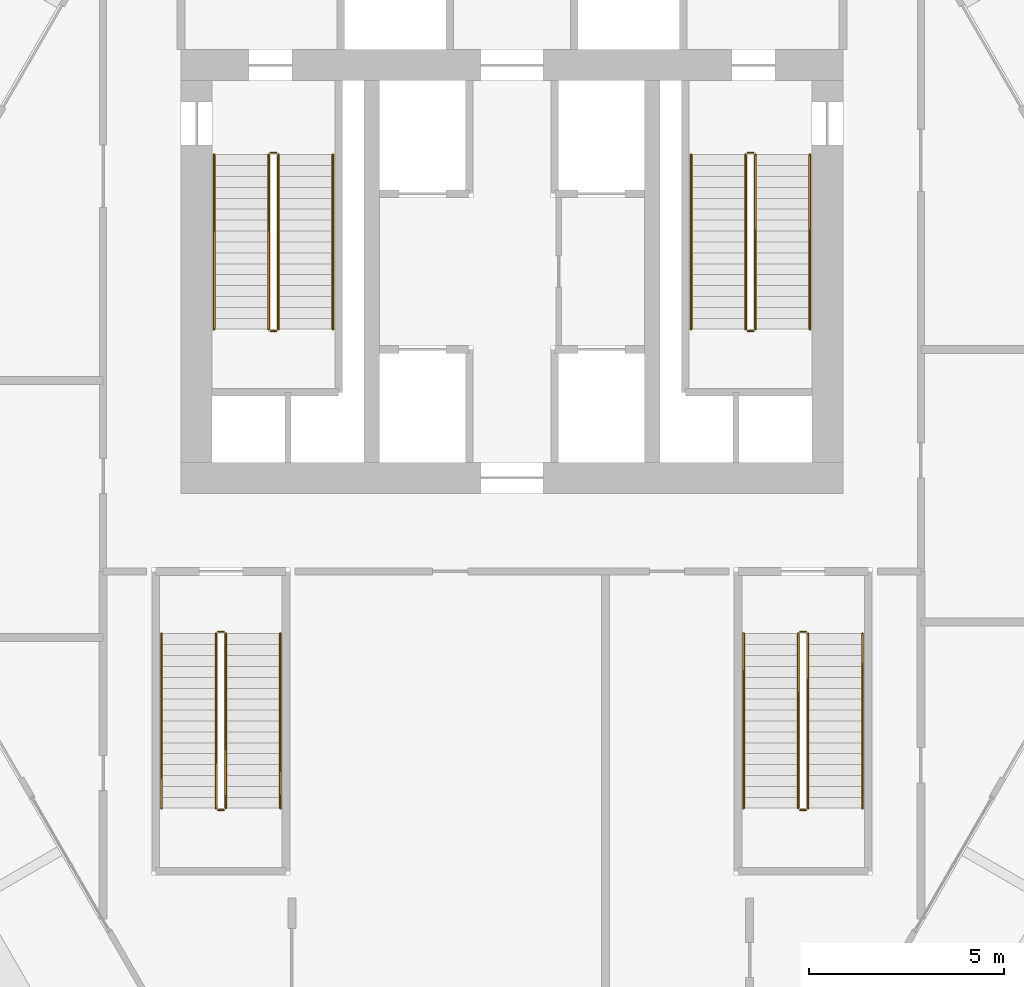
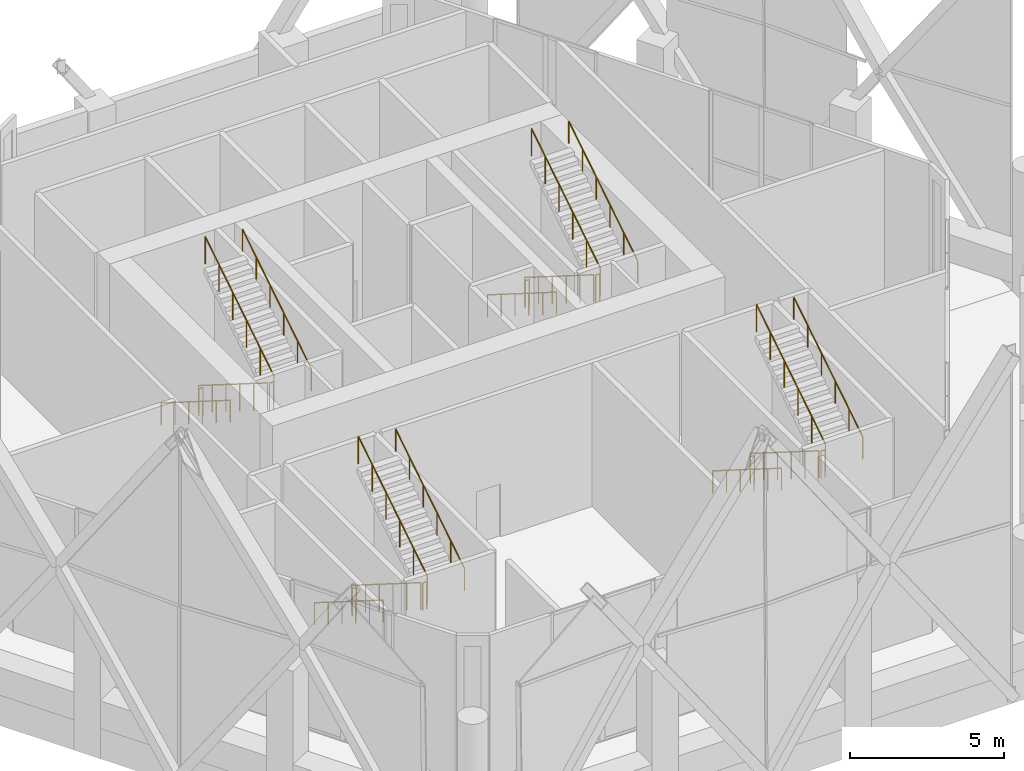
# One storey, part 43 of 43: 24 railings.
"""IFC4 building model written with IfcOpenShell, lengths in metres."""

from ifc_helpers import new_model, si_unit, direction, frame, origin, origin_2d, place, context, subcontext, project, spatial, circle, extrude, material, type_object, element, save


model = new_model("IFC4")

# Units and contexts
model_context = context("Model", 3, precision=1e-05, world=origin(), true_north=direction((0.0, 1.0)))
body_context = subcontext(model_context, "Body", "Model", "MODEL_VIEW")
ifc_project = project(units=[si_unit("LENGTHUNIT", "METRE"), si_unit("AREAUNIT", "SQUARE_METRE"), si_unit("VOLUMEUNIT", "CUBIC_METRE"), si_unit("PLANEANGLEUNIT", "RADIAN"), si_unit("MASSUNIT", "GRAM", prefix="KILO")], contexts=[model_context])

# Site, building, storey
site_placement = place(None, origin())
site = spatial("IfcSite", under=ifc_project, at=site_placement, CompositionType="ELEMENT")
building_placement = place(site_placement, origin())
building = spatial("IfcBuilding", under=site, at=building_placement, Name="Ostrander Bayou Hotel Tower", CompositionType="ELEMENT")
storey_placement = place(building_placement, frame((0.0, 0.0, 151.0)))
storey = spatial("IfcBuildingStorey", under=building, at=storey_placement, Name="L37", CompositionType="ELEMENT", Elevation=151.0)

# Railings
ifc_material_1 = material(Name="Steel ASTM A500 Gr C", Category="steel")
railing_type_1 = type_object("IfcRailingType", Name="GR1 stair guard 1100 mm steel", PredefinedType="GUARDRAIL", material=ifc_material_1)
railing_1_placement = place(storey_placement, frame((-6.25, 7.0, 0.176513671875)))
element("IfcRailing", 1, at=railing_1_placement, inside=storey, type_object=railing_type_1, Name="L37 STA stair guard 1", PredefinedType="GUARDRAIL", context=body_context, shape_type="SweptSolid", body=[
    extrude(circle(Radius=0.02392578125, at=origin_2d()), frame((0.0, 0.0, 1.076171875), z_axis=(0.0, -0.845997938375, 0.533186166611), x_axis=(1.0, 0.0, 0.0)), (0.0, 0.0, 1.0), 5.29541015625),
    extrude(circle(Radius=0.02099609375, at=origin_2d()), origin(), (0.0, 0.0, 1.0), 1.052001953125),
    extrude(circle(Radius=0.02099609375, at=origin_2d()), frame((0.0, -0.89599609375, 0.564697265625)), (0.0, 0.0, 1.0), 1.052001953125),
    extrude(circle(Radius=0.02099609375, at=origin_2d()), frame((0.0, -1.7919921875, 1.12939453125)), (0.0, 0.0, 1.0), 1.052001953125),
    extrude(circle(Radius=0.02099609375, at=origin_2d()), frame((0.0, -2.68798828125, 1.694091796875)), (0.0, 0.0, 1.0), 1.052001953125),
    extrude(circle(Radius=0.02099609375, at=origin_2d()), frame((0.0, -3.583984375, 2.2587890625)), (0.0, 0.0, 1.0), 1.052001953125),
    extrude(circle(Radius=0.02099609375, at=origin_2d()), frame((0.0, -4.47998046875, 2.823486328125)), (0.0, 0.0, 1.0), 1.052001953125),
])
railing_2_placement = place(storey_placement, frame((-6.199951171875, 2.469970703125, 3.0)))
element("IfcRailing", 2, at=railing_2_placement, inside=storey, type_object=railing_type_1, Name="L37 STA stair guard 2", PredefinedType="GUARDRAIL", context=body_context, shape_type="SweptSolid", body=[
    extrude(circle(Radius=0.02392578125, at=origin_2d()), frame((0.0, 0.0, 1.076171875), z_axis=(1.0, 0.0, 0.0), x_axis=(0.0, 1.0, 0.0)), (0.0, 0.0, 1.0), 0.14990234375),
    extrude(circle(Radius=0.02099609375, at=origin_2d()), origin(), (0.0, 0.0, 1.0), 1.052001953125),
    extrude(circle(Radius=0.02099609375, at=origin_2d()), frame((0.14990234375, 0.0, 0.0)), (0.0, 0.0, 1.0), 1.052001953125),
])
railing_3_placement = place(storey_placement, frame((-6.0, 2.52001953125, 3.176513671875)))
element("IfcRailing", 3, at=railing_3_placement, inside=storey, type_object=railing_type_1, Name="L37 STA stair guard 3", PredefinedType="GUARDRAIL", context=body_context, shape_type="SweptSolid", body=[
    extrude(circle(Radius=0.02392578125, at=origin_2d()), frame((0.0, 0.0, 1.076171875), z_axis=(0.0, 0.845997938375, 0.533186166611), x_axis=(-1.0, 0.0, 0.0)), (0.0, 0.0, 1.0), 5.29541015625),
    extrude(circle(Radius=0.02099609375, at=origin_2d()), origin(), (0.0, 0.0, 1.0), 1.052001953125),
    extrude(circle(Radius=0.02099609375, at=origin_2d()), frame((0.0, 0.89599609375, 0.564697265625)), (0.0, 0.0, 1.0), 1.052001953125),
    extrude(circle(Radius=0.02099609375, at=origin_2d()), frame((0.0, 1.7919921875, 1.12939453125)), (0.0, 0.0, 1.0), 1.052001953125),
    extrude(circle(Radius=0.02099609375, at=origin_2d()), frame((0.0, 2.68798828125, 1.694091796875)), (0.0, 0.0, 1.0), 1.052001953125),
    extrude(circle(Radius=0.02099609375, at=origin_2d()), frame((0.0, 3.583984375, 2.2587890625)), (0.0, 0.0, 1.0), 1.052001953125),
    extrude(circle(Radius=0.02099609375, at=origin_2d()), frame((0.0, 4.47998046875, 2.823486328125)), (0.0, 0.0, 1.0), 1.052001953125),
])
railing_4_placement = place(storey_placement, frame((-6.199951171875, 7.050048828125, 0.0)))
element("IfcRailing", 4, at=railing_4_placement, inside=storey, type_object=railing_type_1, Name="L37 STA stair guard 4", PredefinedType="GUARDRAIL", context=body_context, shape_type="SweptSolid", body=[
    extrude(circle(Radius=0.02392578125, at=origin_2d()), frame((0.0, 0.0, 1.076171875), z_axis=(1.0, 0.0, 0.0), x_axis=(0.0, 1.0, 0.0)), (0.0, 0.0, 1.0), 0.14990234375),
    extrude(circle(Radius=0.02099609375, at=origin_2d()), origin(), (0.0, 0.0, 1.0), 1.052001953125),
    extrude(circle(Radius=0.02099609375, at=origin_2d()), frame((0.14990234375, 0.0, 0.0)), (0.0, 0.0, 1.0), 1.052001953125),
])
railing_5_placement = place(storey_placement, frame((6.0, 7.0, 0.176513671875)))
element("IfcRailing", 5, at=railing_5_placement, inside=storey, type_object=railing_type_1, Name="L37 STB stair guard 1", PredefinedType="GUARDRAIL", context=body_context, shape_type="SweptSolid", body=[
    extrude(circle(Radius=0.02392578125, at=origin_2d()), frame((0.0, 0.0, 1.076171875), z_axis=(0.0, -0.845997938375, 0.533186166611), x_axis=(1.0, 0.0, 0.0)), (0.0, 0.0, 1.0), 5.29541015625),
    extrude(circle(Radius=0.02099609375, at=origin_2d()), origin(), (0.0, 0.0, 1.0), 1.052001953125),
    extrude(circle(Radius=0.02099609375, at=origin_2d()), frame((0.0, -0.89599609375, 0.564697265625)), (0.0, 0.0, 1.0), 1.052001953125),
    extrude(circle(Radius=0.02099609375, at=origin_2d()), frame((0.0, -1.7919921875, 1.12939453125)), (0.0, 0.0, 1.0), 1.052001953125),
    extrude(circle(Radius=0.02099609375, at=origin_2d()), frame((0.0, -2.68798828125, 1.694091796875)), (0.0, 0.0, 1.0), 1.052001953125),
    extrude(circle(Radius=0.02099609375, at=origin_2d()), frame((0.0, -3.583984375, 2.2587890625)), (0.0, 0.0, 1.0), 1.052001953125),
    extrude(circle(Radius=0.02099609375, at=origin_2d()), frame((0.0, -4.47998046875, 2.823486328125)), (0.0, 0.0, 1.0), 1.052001953125),
])
railing_6_placement = place(storey_placement, frame((6.050048828125, 2.469970703125, 3.0)))
element("IfcRailing", 6, at=railing_6_placement, inside=storey, type_object=railing_type_1, Name="L37 STB stair guard 2", PredefinedType="GUARDRAIL", context=body_context, shape_type="SweptSolid", body=[
    extrude(circle(Radius=0.02392578125, at=origin_2d()), frame((0.0, 0.0, 1.076171875), z_axis=(1.0, 0.0, 0.0), x_axis=(0.0, 1.0, 0.0)), (0.0, 0.0, 1.0), 0.14990234375),
    extrude(circle(Radius=0.02099609375, at=origin_2d()), origin(), (0.0, 0.0, 1.0), 1.052001953125),
    extrude(circle(Radius=0.02099609375, at=origin_2d()), frame((0.14990234375, 0.0, 0.0)), (0.0, 0.0, 1.0), 1.052001953125),
])
railing_7_placement = place(storey_placement, frame((6.25, 2.52001953125, 3.176513671875)))
element("IfcRailing", 7, at=railing_7_placement, inside=storey, type_object=railing_type_1, Name="L37 STB stair guard 3", PredefinedType="GUARDRAIL", context=body_context, shape_type="SweptSolid", body=[
    extrude(circle(Radius=0.02392578125, at=origin_2d()), frame((0.0, 0.0, 1.076171875), z_axis=(0.0, 0.845997938375, 0.533186166611), x_axis=(-1.0, 0.0, 0.0)), (0.0, 0.0, 1.0), 5.29541015625),
    extrude(circle(Radius=0.02099609375, at=origin_2d()), origin(), (0.0, 0.0, 1.0), 1.052001953125),
    extrude(circle(Radius=0.02099609375, at=origin_2d()), frame((0.0, 0.89599609375, 0.564697265625)), (0.0, 0.0, 1.0), 1.052001953125),
    extrude(circle(Radius=0.02099609375, at=origin_2d()), frame((0.0, 1.7919921875, 1.12939453125)), (0.0, 0.0, 1.0), 1.052001953125),
    extrude(circle(Radius=0.02099609375, at=origin_2d()), frame((0.0, 2.68798828125, 1.694091796875)), (0.0, 0.0, 1.0), 1.052001953125),
    extrude(circle(Radius=0.02099609375, at=origin_2d()), frame((0.0, 3.583984375, 2.2587890625)), (0.0, 0.0, 1.0), 1.052001953125),
    extrude(circle(Radius=0.02099609375, at=origin_2d()), frame((0.0, 4.47998046875, 2.823486328125)), (0.0, 0.0, 1.0), 1.052001953125),
])
railing_8_placement = place(storey_placement, frame((6.050048828125, 7.050048828125, 0.0)))
element("IfcRailing", 8, at=railing_8_placement, inside=storey, type_object=railing_type_1, Name="L37 STB stair guard 4", PredefinedType="GUARDRAIL", context=body_context, shape_type="SweptSolid", body=[
    extrude(circle(Radius=0.02392578125, at=origin_2d()), frame((0.0, 0.0, 1.076171875), z_axis=(1.0, 0.0, 0.0), x_axis=(0.0, 1.0, 0.0)), (0.0, 0.0, 1.0), 0.14990234375),
    extrude(circle(Radius=0.02099609375, at=origin_2d()), origin(), (0.0, 0.0, 1.0), 1.052001953125),
    extrude(circle(Radius=0.02099609375, at=origin_2d()), frame((0.14990234375, 0.0, 0.0)), (0.0, 0.0, 1.0), 1.052001953125),
])
railing_9_placement = place(storey_placement, frame((7.35009765625, -5.300048828125, 0.176513671875)))
element("IfcRailing", 9, at=railing_9_placement, inside=storey, type_object=railing_type_1, Name="L37 STC stair guard 1", PredefinedType="GUARDRAIL", context=body_context, shape_type="SweptSolid", body=[
    extrude(circle(Radius=0.02392578125, at=origin_2d()), frame((0.0, 0.0, 1.076171875), z_axis=(0.0, -0.845997938375, 0.533186166611), x_axis=(1.0, 0.0, 0.0)), (0.0, 0.0, 1.0), 5.29541015625),
    extrude(circle(Radius=0.02099609375, at=origin_2d()), origin(), (0.0, 0.0, 1.0), 1.052001953125),
    extrude(circle(Radius=0.02099609375, at=origin_2d()), frame((0.0, -0.89599609375, 0.564697265625)), (0.0, 0.0, 1.0), 1.052001953125),
    extrude(circle(Radius=0.02099609375, at=origin_2d()), frame((0.0, -1.7919921875, 1.12939453125)), (0.0, 0.0, 1.0), 1.052001953125),
    extrude(circle(Radius=0.02099609375, at=origin_2d()), frame((0.0, -2.68798828125, 1.694091796875)), (0.0, 0.0, 1.0), 1.052001953125),
    extrude(circle(Radius=0.02099609375, at=origin_2d()), frame((0.0, -3.583984375, 2.2587890625)), (0.0, 0.0, 1.0), 1.052001953125),
    extrude(circle(Radius=0.02099609375, at=origin_2d()), frame((0.0, -4.47998046875, 2.823486328125)), (0.0, 0.0, 1.0), 1.052001953125),
])
railing_10_placement = place(storey_placement, frame((7.39990234375, -9.830078125, 3.0)))
element("IfcRailing", 10, at=railing_10_placement, inside=storey, type_object=railing_type_1, Name="L37 STC stair guard 2", PredefinedType="GUARDRAIL", context=body_context, shape_type="SweptSolid", body=[
    extrude(circle(Radius=0.02392578125, at=origin_2d()), frame((0.0, 0.0, 1.076171875), z_axis=(1.0, 0.0, 0.0), x_axis=(0.0, 1.0, 0.0)), (0.0, 0.0, 1.0), 0.150146484375),
    extrude(circle(Radius=0.02099609375, at=origin_2d()), origin(), (0.0, 0.0, 1.0), 1.052001953125),
    extrude(circle(Radius=0.02099609375, at=origin_2d()), frame((0.150146484375, 0.0, 0.0)), (0.0, 0.0, 1.0), 1.052001953125),
])
railing_11_placement = place(storey_placement, frame((7.60009765625, -9.780029296875, 3.176513671875)))
element("IfcRailing", 11, at=railing_11_placement, inside=storey, type_object=railing_type_1, Name="L37 STC stair guard 3", PredefinedType="GUARDRAIL", context=body_context, shape_type="SweptSolid", body=[
    extrude(circle(Radius=0.02392578125, at=origin_2d()), frame((0.0, 0.0, 1.076171875), z_axis=(0.0, 0.845997938375, 0.533186166611), x_axis=(-1.0, 0.0, 0.0)), (0.0, 0.0, 1.0), 5.29541015625),
    extrude(circle(Radius=0.02099609375, at=origin_2d()), origin(), (0.0, 0.0, 1.0), 1.052001953125),
    extrude(circle(Radius=0.02099609375, at=origin_2d()), frame((0.0, 0.89599609375, 0.564697265625)), (0.0, 0.0, 1.0), 1.052001953125),
    extrude(circle(Radius=0.02099609375, at=origin_2d()), frame((0.0, 1.7919921875, 1.12939453125)), (0.0, 0.0, 1.0), 1.052001953125),
    extrude(circle(Radius=0.02099609375, at=origin_2d()), frame((0.0, 2.68798828125, 1.694091796875)), (0.0, 0.0, 1.0), 1.052001953125),
    extrude(circle(Radius=0.02099609375, at=origin_2d()), frame((0.0, 3.583984375, 2.2587890625)), (0.0, 0.0, 1.0), 1.052001953125),
    extrude(circle(Radius=0.02099609375, at=origin_2d()), frame((0.0, 4.47998046875, 2.823486328125)), (0.0, 0.0, 1.0), 1.052001953125),
])
railing_12_placement = place(storey_placement, frame((7.39990234375, -5.25, 0.0)))
element("IfcRailing", 12, at=railing_12_placement, inside=storey, type_object=railing_type_1, Name="L37 STC stair guard 4", PredefinedType="GUARDRAIL", context=body_context, shape_type="SweptSolid", body=[
    extrude(circle(Radius=0.02392578125, at=origin_2d()), frame((0.0, 0.0, 1.076171875), z_axis=(1.0, 0.0, 0.0), x_axis=(0.0, 1.0, 0.0)), (0.0, 0.0, 1.0), 0.150146484375),
    extrude(circle(Radius=0.02099609375, at=origin_2d()), origin(), (0.0, 0.0, 1.0), 1.052001953125),
    extrude(circle(Radius=0.02099609375, at=origin_2d()), frame((0.150146484375, 0.0, 0.0)), (0.0, 0.0, 1.0), 1.052001953125),
])
railing_13_placement = place(storey_placement, frame((-7.60009765625, -5.300048828125, 0.176513671875)))
element("IfcRailing", 13, at=railing_13_placement, inside=storey, type_object=railing_type_1, Name="L37 STD stair guard 1", PredefinedType="GUARDRAIL", context=body_context, shape_type="SweptSolid", body=[
    extrude(circle(Radius=0.02392578125, at=origin_2d()), frame((0.0, 0.0, 1.076171875), z_axis=(0.0, -0.845997938375, 0.533186166611), x_axis=(1.0, 0.0, 0.0)), (0.0, 0.0, 1.0), 5.29541015625),
    extrude(circle(Radius=0.02099609375, at=origin_2d()), origin(), (0.0, 0.0, 1.0), 1.052001953125),
    extrude(circle(Radius=0.02099609375, at=origin_2d()), frame((0.0, -0.89599609375, 0.564697265625)), (0.0, 0.0, 1.0), 1.052001953125),
    extrude(circle(Radius=0.02099609375, at=origin_2d()), frame((0.0, -1.7919921875, 1.12939453125)), (0.0, 0.0, 1.0), 1.052001953125),
    extrude(circle(Radius=0.02099609375, at=origin_2d()), frame((0.0, -2.68798828125, 1.694091796875)), (0.0, 0.0, 1.0), 1.052001953125),
    extrude(circle(Radius=0.02099609375, at=origin_2d()), frame((0.0, -3.583984375, 2.2587890625)), (0.0, 0.0, 1.0), 1.052001953125),
    extrude(circle(Radius=0.02099609375, at=origin_2d()), frame((0.0, -4.47998046875, 2.823486328125)), (0.0, 0.0, 1.0), 1.052001953125),
])
railing_14_placement = place(storey_placement, frame((-7.550048828125, -9.830078125, 3.0)))
element("IfcRailing", 14, at=railing_14_placement, inside=storey, type_object=railing_type_1, Name="L37 STD stair guard 2", PredefinedType="GUARDRAIL", context=body_context, shape_type="SweptSolid", body=[
    extrude(circle(Radius=0.02392578125, at=origin_2d()), frame((0.0, 0.0, 1.076171875), z_axis=(1.0, 0.0, 0.0), x_axis=(0.0, 1.0, 0.0)), (0.0, 0.0, 1.0), 0.150146484375),
    extrude(circle(Radius=0.02099609375, at=origin_2d()), origin(), (0.0, 0.0, 1.0), 1.052001953125),
    extrude(circle(Radius=0.02099609375, at=origin_2d()), frame((0.150146484375, 0.0, 0.0)), (0.0, 0.0, 1.0), 1.052001953125),
])
railing_15_placement = place(storey_placement, frame((-7.35009765625, -9.780029296875, 3.176513671875)))
element("IfcRailing", 15, at=railing_15_placement, inside=storey, type_object=railing_type_1, Name="L37 STD stair guard 3", PredefinedType="GUARDRAIL", context=body_context, shape_type="SweptSolid", body=[
    extrude(circle(Radius=0.02392578125, at=origin_2d()), frame((0.0, 0.0, 1.076171875), z_axis=(0.0, 0.845997938375, 0.533186166611), x_axis=(-1.0, 0.0, 0.0)), (0.0, 0.0, 1.0), 5.29541015625),
    extrude(circle(Radius=0.02099609375, at=origin_2d()), origin(), (0.0, 0.0, 1.0), 1.052001953125),
    extrude(circle(Radius=0.02099609375, at=origin_2d()), frame((0.0, 0.89599609375, 0.564697265625)), (0.0, 0.0, 1.0), 1.052001953125),
    extrude(circle(Radius=0.02099609375, at=origin_2d()), frame((0.0, 1.7919921875, 1.12939453125)), (0.0, 0.0, 1.0), 1.052001953125),
    extrude(circle(Radius=0.02099609375, at=origin_2d()), frame((0.0, 2.68798828125, 1.694091796875)), (0.0, 0.0, 1.0), 1.052001953125),
    extrude(circle(Radius=0.02099609375, at=origin_2d()), frame((0.0, 3.583984375, 2.2587890625)), (0.0, 0.0, 1.0), 1.052001953125),
    extrude(circle(Radius=0.02099609375, at=origin_2d()), frame((0.0, 4.47998046875, 2.823486328125)), (0.0, 0.0, 1.0), 1.052001953125),
])
railing_16_placement = place(storey_placement, frame((-7.550048828125, -5.25, 0.0)))
element("IfcRailing", 16, at=railing_16_placement, inside=storey, type_object=railing_type_1, Name="L37 STD stair guard 4", PredefinedType="GUARDRAIL", context=body_context, shape_type="SweptSolid", body=[
    extrude(circle(Radius=0.02392578125, at=origin_2d()), frame((0.0, 0.0, 1.076171875), z_axis=(1.0, 0.0, 0.0), x_axis=(0.0, 1.0, 0.0)), (0.0, 0.0, 1.0), 0.150146484375),
    extrude(circle(Radius=0.02099609375, at=origin_2d()), origin(), (0.0, 0.0, 1.0), 1.052001953125),
    extrude(circle(Radius=0.02099609375, at=origin_2d()), frame((0.150146484375, 0.0, 0.0)), (0.0, 0.0, 1.0), 1.052001953125),
])
ifc_material_2 = material(Name="Steel ASTM A500 Gr C", Category="steel")
railing_type_2 = type_object("IfcRailingType", Name="HR1 stair handrail 900 mm steel", PredefinedType="HANDRAIL", material=ifc_material_2)
railing_17_placement = place(storey_placement, frame((-7.64990234375, 7.0, 0.176513671875)))
element("IfcRailing", 17, at=railing_17_placement, inside=storey, type_object=railing_type_2, Name="L37 STA stair handrail 1", PredefinedType="HANDRAIL", context=body_context, shape_type="SweptSolid", body=[
    extrude(circle(Radius=0.02392578125, at=origin_2d()), frame((0.0, 0.0, 0.8759765625), z_axis=(0.0, -0.845997938375, 0.533186166611), x_axis=(1.0, 0.0, 0.0)), (0.0, 0.0, 1.0), 5.29541015625),
    extrude(circle(Radius=0.02099609375, at=origin_2d()), origin(), (0.0, 0.0, 1.0), 0.851806640625),
    extrude(circle(Radius=0.02099609375, at=origin_2d()), frame((0.0, -0.89599609375, 0.564697265625)), (0.0, 0.0, 1.0), 0.851806640625),
    extrude(circle(Radius=0.02099609375, at=origin_2d()), frame((0.0, -1.7919921875, 1.12939453125)), (0.0, 0.0, 1.0), 0.851806640625),
    extrude(circle(Radius=0.02099609375, at=origin_2d()), frame((0.0, -2.68798828125, 1.694091796875)), (0.0, 0.0, 1.0), 0.851806640625),
    extrude(circle(Radius=0.02099609375, at=origin_2d()), frame((0.0, -3.583984375, 2.2587890625)), (0.0, 0.0, 1.0), 0.851806640625),
    extrude(circle(Radius=0.02099609375, at=origin_2d()), frame((0.0, -4.47998046875, 2.823486328125)), (0.0, 0.0, 1.0), 0.851806640625),
])
railing_18_placement = place(storey_placement, frame((-4.60009765625, 2.52001953125, 3.176513671875)))
element("IfcRailing", 18, at=railing_18_placement, inside=storey, type_object=railing_type_2, Name="L37 STA stair handrail 2", PredefinedType="HANDRAIL", context=body_context, shape_type="SweptSolid", body=[
    extrude(circle(Radius=0.02392578125, at=origin_2d()), frame((0.0, 0.0, 0.8759765625), z_axis=(0.0, 0.845997938375, 0.533186166611), x_axis=(-1.0, 0.0, 0.0)), (0.0, 0.0, 1.0), 5.29541015625),
    extrude(circle(Radius=0.02099609375, at=origin_2d()), origin(), (0.0, 0.0, 1.0), 0.851806640625),
    extrude(circle(Radius=0.02099609375, at=origin_2d()), frame((0.0, 0.89599609375, 0.564697265625)), (0.0, 0.0, 1.0), 0.851806640625),
    extrude(circle(Radius=0.02099609375, at=origin_2d()), frame((0.0, 1.7919921875, 1.12939453125)), (0.0, 0.0, 1.0), 0.851806640625),
    extrude(circle(Radius=0.02099609375, at=origin_2d()), frame((0.0, 2.68798828125, 1.694091796875)), (0.0, 0.0, 1.0), 0.851806640625),
    extrude(circle(Radius=0.02099609375, at=origin_2d()), frame((0.0, 3.583984375, 2.2587890625)), (0.0, 0.0, 1.0), 0.851806640625),
    extrude(circle(Radius=0.02099609375, at=origin_2d()), frame((0.0, 4.47998046875, 2.823486328125)), (0.0, 0.0, 1.0), 0.851806640625),
])
railing_19_placement = place(storey_placement, frame((4.60009765625, 7.0, 0.176513671875)))
element("IfcRailing", 19, at=railing_19_placement, inside=storey, type_object=railing_type_2, Name="L37 STB stair handrail 1", PredefinedType="HANDRAIL", context=body_context, shape_type="SweptSolid", body=[
    extrude(circle(Radius=0.02392578125, at=origin_2d()), frame((0.0, 0.0, 0.8759765625), z_axis=(0.0, -0.845997938375, 0.533186166611), x_axis=(1.0, 0.0, 0.0)), (0.0, 0.0, 1.0), 5.29541015625),
    extrude(circle(Radius=0.02099609375, at=origin_2d()), origin(), (0.0, 0.0, 1.0), 0.851806640625),
    extrude(circle(Radius=0.02099609375, at=origin_2d()), frame((0.0, -0.89599609375, 0.564697265625)), (0.0, 0.0, 1.0), 0.851806640625),
    extrude(circle(Radius=0.02099609375, at=origin_2d()), frame((0.0, -1.7919921875, 1.12939453125)), (0.0, 0.0, 1.0), 0.851806640625),
    extrude(circle(Radius=0.02099609375, at=origin_2d()), frame((0.0, -2.68798828125, 1.694091796875)), (0.0, 0.0, 1.0), 0.851806640625),
    extrude(circle(Radius=0.02099609375, at=origin_2d()), frame((0.0, -3.583984375, 2.2587890625)), (0.0, 0.0, 1.0), 0.851806640625),
    extrude(circle(Radius=0.02099609375, at=origin_2d()), frame((0.0, -4.47998046875, 2.823486328125)), (0.0, 0.0, 1.0), 0.851806640625),
])
railing_20_placement = place(storey_placement, frame((7.64990234375, 2.52001953125, 3.176513671875)))
element("IfcRailing", 20, at=railing_20_placement, inside=storey, type_object=railing_type_2, Name="L37 STB stair handrail 2", PredefinedType="HANDRAIL", context=body_context, shape_type="SweptSolid", body=[
    extrude(circle(Radius=0.02392578125, at=origin_2d()), frame((0.0, 0.0, 0.8759765625), z_axis=(0.0, 0.845997938375, 0.533186166611), x_axis=(-1.0, 0.0, 0.0)), (0.0, 0.0, 1.0), 5.29541015625),
    extrude(circle(Radius=0.02099609375, at=origin_2d()), origin(), (0.0, 0.0, 1.0), 0.851806640625),
    extrude(circle(Radius=0.02099609375, at=origin_2d()), frame((0.0, 0.89599609375, 0.564697265625)), (0.0, 0.0, 1.0), 0.851806640625),
    extrude(circle(Radius=0.02099609375, at=origin_2d()), frame((0.0, 1.7919921875, 1.12939453125)), (0.0, 0.0, 1.0), 0.851806640625),
    extrude(circle(Radius=0.02099609375, at=origin_2d()), frame((0.0, 2.68798828125, 1.694091796875)), (0.0, 0.0, 1.0), 0.851806640625),
    extrude(circle(Radius=0.02099609375, at=origin_2d()), frame((0.0, 3.583984375, 2.2587890625)), (0.0, 0.0, 1.0), 0.851806640625),
    extrude(circle(Radius=0.02099609375, at=origin_2d()), frame((0.0, 4.47998046875, 2.823486328125)), (0.0, 0.0, 1.0), 0.851806640625),
])
railing_21_placement = place(storey_placement, frame((5.949951171875, -5.300048828125, 0.176513671875)))
element("IfcRailing", 21, at=railing_21_placement, inside=storey, type_object=railing_type_2, Name="L37 STC stair handrail 1", PredefinedType="HANDRAIL", context=body_context, shape_type="SweptSolid", body=[
    extrude(circle(Radius=0.02392578125, at=origin_2d()), frame((0.0, 0.0, 0.8759765625), z_axis=(0.0, -0.845997938375, 0.533186166611), x_axis=(1.0, 0.0, 0.0)), (0.0, 0.0, 1.0), 5.29541015625),
    extrude(circle(Radius=0.02099609375, at=origin_2d()), origin(), (0.0, 0.0, 1.0), 0.851806640625),
    extrude(circle(Radius=0.02099609375, at=origin_2d()), frame((0.0, -0.89599609375, 0.564697265625)), (0.0, 0.0, 1.0), 0.851806640625),
    extrude(circle(Radius=0.02099609375, at=origin_2d()), frame((0.0, -1.7919921875, 1.12939453125)), (0.0, 0.0, 1.0), 0.851806640625),
    extrude(circle(Radius=0.02099609375, at=origin_2d()), frame((0.0, -2.68798828125, 1.694091796875)), (0.0, 0.0, 1.0), 0.851806640625),
    extrude(circle(Radius=0.02099609375, at=origin_2d()), frame((0.0, -3.583984375, 2.2587890625)), (0.0, 0.0, 1.0), 0.851806640625),
    extrude(circle(Radius=0.02099609375, at=origin_2d()), frame((0.0, -4.47998046875, 2.823486328125)), (0.0, 0.0, 1.0), 0.851806640625),
])
railing_22_placement = place(storey_placement, frame((9.0, -9.780029296875, 3.176513671875)))
element("IfcRailing", 22, at=railing_22_placement, inside=storey, type_object=railing_type_2, Name="L37 STC stair handrail 2", PredefinedType="HANDRAIL", context=body_context, shape_type="SweptSolid", body=[
    extrude(circle(Radius=0.02392578125, at=origin_2d()), frame((0.0, 0.0, 0.8759765625), z_axis=(0.0, 0.845997938375, 0.533186166611), x_axis=(-1.0, 0.0, 0.0)), (0.0, 0.0, 1.0), 5.29541015625),
    extrude(circle(Radius=0.02099609375, at=origin_2d()), origin(), (0.0, 0.0, 1.0), 0.851806640625),
    extrude(circle(Radius=0.02099609375, at=origin_2d()), frame((0.0, 0.89599609375, 0.564697265625)), (0.0, 0.0, 1.0), 0.851806640625),
    extrude(circle(Radius=0.02099609375, at=origin_2d()), frame((0.0, 1.7919921875, 1.12939453125)), (0.0, 0.0, 1.0), 0.851806640625),
    extrude(circle(Radius=0.02099609375, at=origin_2d()), frame((0.0, 2.68798828125, 1.694091796875)), (0.0, 0.0, 1.0), 0.851806640625),
    extrude(circle(Radius=0.02099609375, at=origin_2d()), frame((0.0, 3.583984375, 2.2587890625)), (0.0, 0.0, 1.0), 0.851806640625),
    extrude(circle(Radius=0.02099609375, at=origin_2d()), frame((0.0, 4.47998046875, 2.823486328125)), (0.0, 0.0, 1.0), 0.851806640625),
])
railing_23_placement = place(storey_placement, frame((-9.0, -5.300048828125, 0.176513671875)))
element("IfcRailing", 23, at=railing_23_placement, inside=storey, type_object=railing_type_2, Name="L37 STD stair handrail 1", PredefinedType="HANDRAIL", context=body_context, shape_type="SweptSolid", body=[
    extrude(circle(Radius=0.02392578125, at=origin_2d()), frame((0.0, 0.0, 0.8759765625), z_axis=(0.0, -0.845997938375, 0.533186166611), x_axis=(1.0, 0.0, 0.0)), (0.0, 0.0, 1.0), 5.29541015625),
    extrude(circle(Radius=0.02099609375, at=origin_2d()), origin(), (0.0, 0.0, 1.0), 0.851806640625),
    extrude(circle(Radius=0.02099609375, at=origin_2d()), frame((0.0, -0.89599609375, 0.564697265625)), (0.0, 0.0, 1.0), 0.851806640625),
    extrude(circle(Radius=0.02099609375, at=origin_2d()), frame((0.0, -1.7919921875, 1.12939453125)), (0.0, 0.0, 1.0), 0.851806640625),
    extrude(circle(Radius=0.02099609375, at=origin_2d()), frame((0.0, -2.68798828125, 1.694091796875)), (0.0, 0.0, 1.0), 0.851806640625),
    extrude(circle(Radius=0.02099609375, at=origin_2d()), frame((0.0, -3.583984375, 2.2587890625)), (0.0, 0.0, 1.0), 0.851806640625),
    extrude(circle(Radius=0.02099609375, at=origin_2d()), frame((0.0, -4.47998046875, 2.823486328125)), (0.0, 0.0, 1.0), 0.851806640625),
])
railing_24_placement = place(storey_placement, frame((-5.949951171875, -9.780029296875, 3.176513671875)))
element("IfcRailing", 24, at=railing_24_placement, inside=storey, type_object=railing_type_2, Name="L37 STD stair handrail 2", PredefinedType="HANDRAIL", context=body_context, shape_type="SweptSolid", body=[
    extrude(circle(Radius=0.02392578125, at=origin_2d()), frame((0.0, 0.0, 0.8759765625), z_axis=(0.0, 0.845997938375, 0.533186166611), x_axis=(-1.0, 0.0, 0.0)), (0.0, 0.0, 1.0), 5.29541015625),
    extrude(circle(Radius=0.02099609375, at=origin_2d()), origin(), (0.0, 0.0, 1.0), 0.851806640625),
    extrude(circle(Radius=0.02099609375, at=origin_2d()), frame((0.0, 0.89599609375, 0.564697265625)), (0.0, 0.0, 1.0), 0.851806640625),
    extrude(circle(Radius=0.02099609375, at=origin_2d()), frame((0.0, 1.7919921875, 1.12939453125)), (0.0, 0.0, 1.0), 0.851806640625),
    extrude(circle(Radius=0.02099609375, at=origin_2d()), frame((0.0, 2.68798828125, 1.694091796875)), (0.0, 0.0, 1.0), 0.851806640625),
    extrude(circle(Radius=0.02099609375, at=origin_2d()), frame((0.0, 3.583984375, 2.2587890625)), (0.0, 0.0, 1.0), 0.851806640625),
    extrude(circle(Radius=0.02099609375, at=origin_2d()), frame((0.0, 4.47998046875, 2.823486328125)), (0.0, 0.0, 1.0), 0.851806640625),
])

save(model, "model.ifc")
